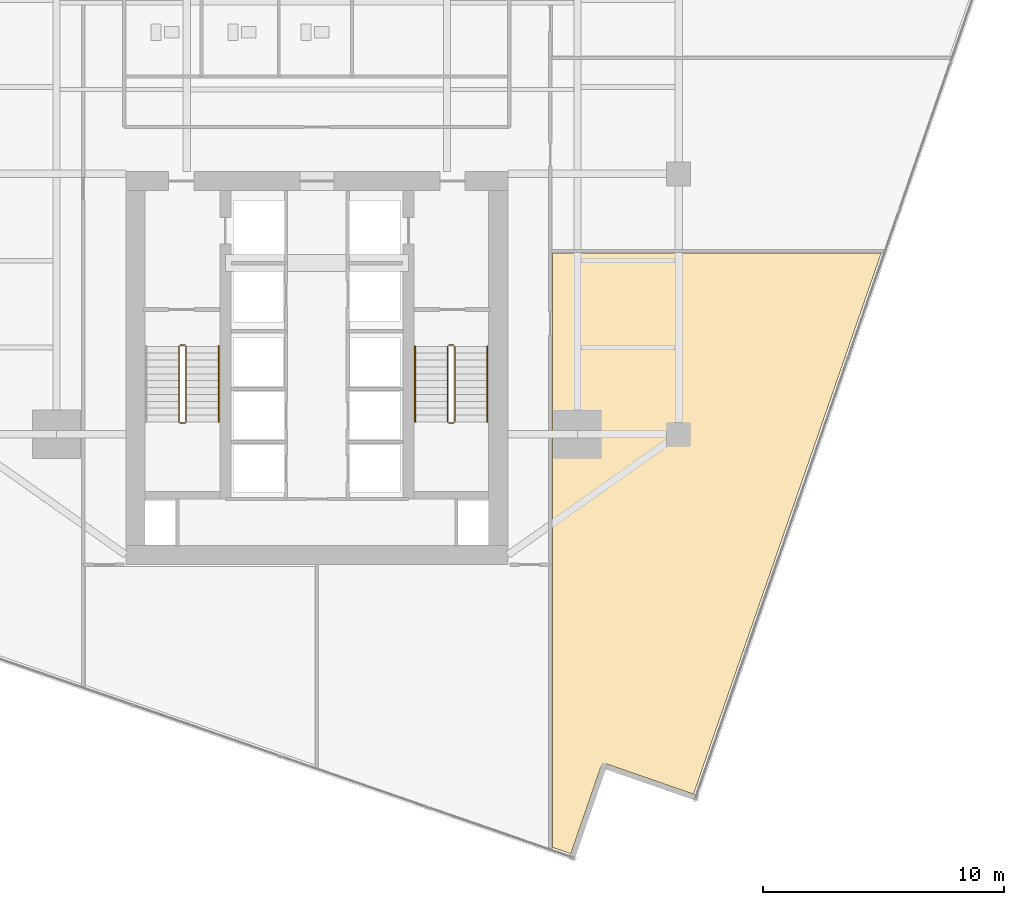
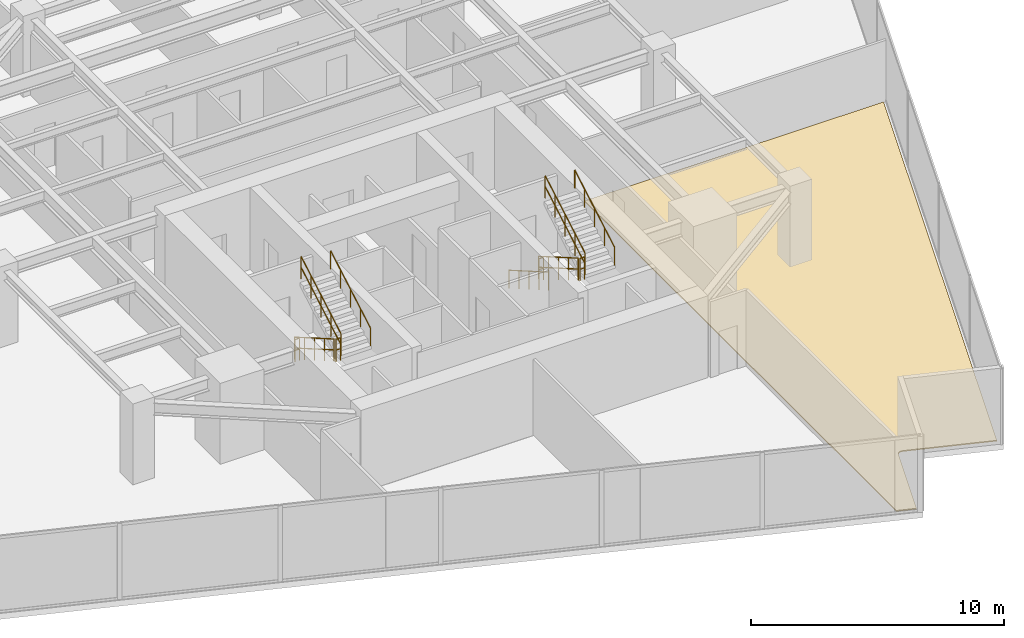
# One storey, part 26 of 28: 11 railings, 1 covering.
"""IFC4 building model written with IfcOpenShell, lengths in metres."""

from ifc_helpers import new_model, si_unit, direction, frame, origin, origin_2d, place, context, subcontext, project, spatial, polyline, circle, outline, extrude, material, layer, layer_set, type_object, element, save


model = new_model("IFC4")

# Units and contexts
model_context = context("Model", 3, precision=1e-05, world=origin(), true_north=direction((0.0, 1.0)))
body_context = subcontext(model_context, "Body", "Model", "MODEL_VIEW")
ifc_project = project(units=[si_unit("LENGTHUNIT", "METRE"), si_unit("AREAUNIT", "SQUARE_METRE"), si_unit("VOLUMEUNIT", "CUBIC_METRE"), si_unit("PLANEANGLEUNIT", "RADIAN"), si_unit("MASSUNIT", "GRAM", prefix="KILO")], contexts=[model_context])

# Site, building, storey
site_placement = place(None, origin())
site = spatial("IfcSite", under=ifc_project, at=site_placement, CompositionType="ELEMENT")
building_placement = place(site_placement, origin())
building = spatial("IfcBuilding", under=site, at=building_placement, Name="Krantzveldt Concourse Tower", CompositionType="ELEMENT")
storey_placement = place(building_placement, frame((0.0, 0.0, 117.699951171875)))
storey = spatial("IfcBuildingStorey", under=building, at=storey_placement, Name="L28", CompositionType="ELEMENT", Elevation=117.699951171875)

# Covering
ifc_material_1 = material(Name="Calcium-sulphate raised access floor panel", Category="flooring")
ifc_layer_1 = layer(ifc_material_1, 0.050048828125, Name="Calcium-sulphate raised access floor panel", Category="flooring")
ifc_layer_set_1 = layer_set([ifc_layer_1], Name="Calcium-sulphate raised access floor panel (COV-FLOOR-RAISED)")
covering_type = type_object("IfcCoveringType", Name="COV-FLOOR-RAISED", PredefinedType="FLOORING", material=ifc_layer_set_1)
covering_placement = place(storey_placement, origin())
element("IfcCovering", 1, at=covering_placement, inside=storey, type_object=covering_type, Name="FLR-SP-L28-ER1", PredefinedType="FLOORING", context=body_context, shape_type="SweptSolid", body=[
    extrude(outline(polyline([(59.396728515625, 23.419921875), (51.61669921875, 0.984130859375), (48.04541015625, 2.22265625), (48.024658203125, 2.228759765625), (48.00341796875, 2.232666015625), (47.98193359375, 2.234619140625), (47.960205078125, 2.234375), (47.938720703125, 2.23193359375), (47.917724609375, 2.2275390625), (47.89697265625, 2.22119140625), (47.877197265625, 2.212646484375), (47.858154296875, 2.202392578125), (47.84033203125, 2.190185546875), (47.823974609375, 2.17626953125), (47.808837890625, 2.160888671875), (47.795166015625, 2.14404296875), (47.783447265625, 2.1259765625), (47.7734375, 2.10693359375), (47.765380859375, 2.0869140625), (46.52685546875, -1.484619140625), (45.760009765625, -1.218505859375), (45.760009765625, 23.419921875), (59.396728515625, 23.419921875)])), origin(), (0.0, 0.0, 1.0), 0.050048828125),
])

# Railings
ifc_material_2 = material(Name="Stainless steel 316L", Category="steel")
ifc_layer_2 = layer(ifc_material_2, 0.06005859375, Name="Stainless steel 316L", Category="steel")
ifc_layer_set_2 = layer_set([ifc_layer_2], Name="Stainless steel 316L (RL-GUARD-1120)")
railing_type_1 = type_object("IfcRailingType", Name="RL-GUARD-1120", PredefinedType="GUARDRAIL", material=ifc_layer_set_2)
railing_1_placement = place(storey_placement, frame((30.280029296875, 19.550048828125, 0.16455078125)))
element("IfcRailing", 2, at=railing_1_placement, inside=storey, type_object=railing_type_1, Name="L28 ST-1 stair guard 1", PredefinedType="GUARDRAIL", context=body_context, shape_type="SweptSolid", body=[
    extrude(circle(Radius=0.02392578125, at=origin_2d()), frame((0.0, 0.0, 1.076171875), z_axis=(0.0, -0.865959834175, 0.500113552702), x_axis=(1.0, 0.0, 0.0)), (0.0, 0.0, 1.0), 3.620361328125),
    extrude(circle(Radius=0.02392578125, at=origin_2d()), frame((0.0, 0.0, 0.550048828125), z_axis=(0.0, -0.865959834175, 0.500113552702), x_axis=(1.0, 0.0, 0.0)), (0.0, 0.0, 1.0), 3.620361328125),
    extrude(circle(Radius=0.02099609375, at=origin_2d()), origin(), (0.0, 0.0, 1.0), 1.052001953125),
    extrude(circle(Radius=0.02099609375, at=origin_2d()), frame((0.0, -0.78369140625, 0.45263671875)), (0.0, 0.0, 1.0), 1.052001953125),
    extrude(circle(Radius=0.02099609375, at=origin_2d()), frame((0.0, -1.5673828125, 0.9052734375)), (0.0, 0.0, 1.0), 1.052001953125),
    extrude(circle(Radius=0.02099609375, at=origin_2d()), frame((0.0, -2.351318359375, 1.35791015625)), (0.0, 0.0, 1.0), 1.052001953125),
    extrude(circle(Radius=0.02099609375, at=origin_2d()), frame((0.0, -3.135009765625, 1.810546875)), (0.0, 0.0, 1.0), 1.052001953125),
])
railing_2_placement = place(storey_placement, frame((30.330078125, 16.364990234375, 1.97509765625)))
element("IfcRailing", 3, at=railing_2_placement, inside=storey, type_object=railing_type_1, Name="L28 ST-1 stair guard 2", PredefinedType="GUARDRAIL", context=body_context, shape_type="SweptSolid", body=[
    extrude(circle(Radius=0.02392578125, at=origin_2d()), frame((0.0, 0.0, 1.076171875), z_axis=(1.0, 0.0, 0.0), x_axis=(0.0, 1.0, 0.0)), (0.0, 0.0, 1.0), 0.199951171875),
    extrude(circle(Radius=0.02392578125, at=origin_2d()), frame((0.0, 0.0, 0.550048828125), z_axis=(1.0, 0.0, 0.0), x_axis=(0.0, 1.0, 0.0)), (0.0, 0.0, 1.0), 0.199951171875),
    extrude(circle(Radius=0.02099609375, at=origin_2d()), origin(), (0.0, 0.0, 1.0), 1.052001953125),
    extrude(circle(Radius=0.02099609375, at=origin_2d()), frame((0.199951171875, 0.0, 0.0)), (0.0, 0.0, 1.0), 1.052001953125),
])
railing_3_placement = place(storey_placement, frame((30.580078125, 16.4150390625, 2.1396484375)))
element("IfcRailing", 4, at=railing_3_placement, inside=storey, type_object=railing_type_1, Name="L28 ST-1 stair guard 3", PredefinedType="GUARDRAIL", context=body_context, shape_type="SweptSolid", body=[
    extrude(circle(Radius=0.02392578125, at=origin_2d()), frame((0.0, 0.0, 1.076171875), z_axis=(0.0, 0.865989039225, 0.500062979975), x_axis=(-1.0, 0.0, 0.0)), (0.0, 0.0, 1.0), 3.6201171875),
    extrude(circle(Radius=0.02392578125, at=origin_2d()), frame((0.0, 0.0, 0.550048828125), z_axis=(0.0, 0.865989039225, 0.500062979975), x_axis=(-1.0, 0.0, 0.0)), (0.0, 0.0, 1.0), 3.6201171875),
    extrude(circle(Radius=0.02099609375, at=origin_2d()), origin(), (0.0, 0.0, 1.0), 1.052001953125),
    extrude(circle(Radius=0.02099609375, at=origin_2d()), frame((0.0, 0.78369140625, 0.45263671875)), (0.0, 0.0, 1.0), 1.052001953125),
    extrude(circle(Radius=0.02099609375, at=origin_2d()), frame((0.0, 1.5673828125, 0.9052734375)), (0.0, 0.0, 1.0), 1.052001953125),
    extrude(circle(Radius=0.02099609375, at=origin_2d()), frame((0.0, 2.351318359375, 1.357666015625)), (0.0, 0.0, 1.0), 1.052001953125),
    extrude(circle(Radius=0.02099609375, at=origin_2d()), frame((0.0, 3.135009765625, 1.810302734375)), (0.0, 0.0, 1.0), 1.052001953125),
])
railing_4_placement = place(storey_placement, frame((30.330078125, 19.60009765625, 0.0)))
element("IfcRailing", 5, at=railing_4_placement, inside=storey, type_object=railing_type_1, Name="L28 ST-1 stair guard 4", PredefinedType="GUARDRAIL", context=body_context, shape_type="SweptSolid", body=[
    extrude(circle(Radius=0.02392578125, at=origin_2d()), frame((0.0, 0.0, 1.076171875), z_axis=(1.0, 0.0, 0.0), x_axis=(0.0, 1.0, 0.0)), (0.0, 0.0, 1.0), 0.199951171875),
    extrude(circle(Radius=0.02392578125, at=origin_2d()), frame((0.0, 0.0, 0.550048828125), z_axis=(1.0, 0.0, 0.0), x_axis=(0.0, 1.0, 0.0)), (0.0, 0.0, 1.0), 0.199951171875),
    extrude(circle(Radius=0.02099609375, at=origin_2d()), origin(), (0.0, 0.0, 1.0), 1.052001953125),
    extrude(circle(Radius=0.02099609375, at=origin_2d()), frame((0.199951171875, 0.0, 0.0)), (0.0, 0.0, 1.0), 1.052001953125),
])
railing_5_placement = place(storey_placement, frame((41.419921875, 19.550048828125, 0.16455078125)))
element("IfcRailing", 6, at=railing_5_placement, inside=storey, type_object=railing_type_1, Name="L28 ST-2 stair guard 1", PredefinedType="GUARDRAIL", context=body_context, shape_type="SweptSolid", body=[
    extrude(circle(Radius=0.02392578125, at=origin_2d()), frame((0.0, 0.0, 1.076171875), z_axis=(0.0, -0.865959834175, 0.500113552702), x_axis=(1.0, 0.0, 0.0)), (0.0, 0.0, 1.0), 3.620361328125),
    extrude(circle(Radius=0.02392578125, at=origin_2d()), frame((0.0, 0.0, 0.550048828125), z_axis=(0.0, -0.865959834175, 0.500113552702), x_axis=(1.0, 0.0, 0.0)), (0.0, 0.0, 1.0), 3.620361328125),
    extrude(circle(Radius=0.02099609375, at=origin_2d()), origin(), (0.0, 0.0, 1.0), 1.052001953125),
    extrude(circle(Radius=0.02099609375, at=origin_2d()), frame((0.0, -0.78369140625, 0.45263671875)), (0.0, 0.0, 1.0), 1.052001953125),
    extrude(circle(Radius=0.02099609375, at=origin_2d()), frame((0.0, -1.5673828125, 0.9052734375)), (0.0, 0.0, 1.0), 1.052001953125),
    extrude(circle(Radius=0.02099609375, at=origin_2d()), frame((0.0, -2.351318359375, 1.35791015625)), (0.0, 0.0, 1.0), 1.052001953125),
    extrude(circle(Radius=0.02099609375, at=origin_2d()), frame((0.0, -3.135009765625, 1.810546875)), (0.0, 0.0, 1.0), 1.052001953125),
])
railing_6_placement = place(storey_placement, frame((41.469970703125, 16.364990234375, 1.97509765625)))
element("IfcRailing", 7, at=railing_6_placement, inside=storey, type_object=railing_type_1, Name="L28 ST-2 stair guard 2", PredefinedType="GUARDRAIL", context=body_context, shape_type="SweptSolid", body=[
    extrude(circle(Radius=0.02392578125, at=origin_2d()), frame((0.0, 0.0, 1.076171875), z_axis=(1.0, 0.0, 0.0), x_axis=(0.0, 1.0, 0.0)), (0.0, 0.0, 1.0), 0.199951171875),
    extrude(circle(Radius=0.02392578125, at=origin_2d()), frame((0.0, 0.0, 0.550048828125), z_axis=(1.0, 0.0, 0.0), x_axis=(0.0, 1.0, 0.0)), (0.0, 0.0, 1.0), 0.199951171875),
    extrude(circle(Radius=0.02099609375, at=origin_2d()), origin(), (0.0, 0.0, 1.0), 1.052001953125),
    extrude(circle(Radius=0.02099609375, at=origin_2d()), frame((0.199951171875, 0.0, 0.0)), (0.0, 0.0, 1.0), 1.052001953125),
])
railing_7_placement = place(storey_placement, frame((41.719970703125, 16.4150390625, 2.1396484375)))
element("IfcRailing", 8, at=railing_7_placement, inside=storey, type_object=railing_type_1, Name="L28 ST-2 stair guard 3", PredefinedType="GUARDRAIL", context=body_context, shape_type="SweptSolid", body=[
    extrude(circle(Radius=0.02392578125, at=origin_2d()), frame((0.0, 0.0, 1.076171875), z_axis=(0.0, 0.865989039225, 0.500062979975), x_axis=(-1.0, 0.0, 0.0)), (0.0, 0.0, 1.0), 3.6201171875),
    extrude(circle(Radius=0.02392578125, at=origin_2d()), frame((0.0, 0.0, 0.550048828125), z_axis=(0.0, 0.865989039225, 0.500062979975), x_axis=(-1.0, 0.0, 0.0)), (0.0, 0.0, 1.0), 3.6201171875),
    extrude(circle(Radius=0.02099609375, at=origin_2d()), origin(), (0.0, 0.0, 1.0), 1.052001953125),
    extrude(circle(Radius=0.02099609375, at=origin_2d()), frame((0.0, 0.78369140625, 0.45263671875)), (0.0, 0.0, 1.0), 1.052001953125),
    extrude(circle(Radius=0.02099609375, at=origin_2d()), frame((0.0, 1.5673828125, 0.9052734375)), (0.0, 0.0, 1.0), 1.052001953125),
    extrude(circle(Radius=0.02099609375, at=origin_2d()), frame((0.0, 2.351318359375, 1.357666015625)), (0.0, 0.0, 1.0), 1.052001953125),
    extrude(circle(Radius=0.02099609375, at=origin_2d()), frame((0.0, 3.135009765625, 1.810302734375)), (0.0, 0.0, 1.0), 1.052001953125),
])
railing_8_placement = place(storey_placement, frame((41.469970703125, 19.60009765625, 0.0)))
element("IfcRailing", 9, at=railing_8_placement, inside=storey, type_object=railing_type_1, Name="L28 ST-2 stair guard 4", PredefinedType="GUARDRAIL", context=body_context, shape_type="SweptSolid", body=[
    extrude(circle(Radius=0.02392578125, at=origin_2d()), frame((0.0, 0.0, 1.076171875), z_axis=(1.0, 0.0, 0.0), x_axis=(0.0, 1.0, 0.0)), (0.0, 0.0, 1.0), 0.199951171875),
    extrude(circle(Radius=0.02392578125, at=origin_2d()), frame((0.0, 0.0, 0.550048828125), z_axis=(1.0, 0.0, 0.0), x_axis=(0.0, 1.0, 0.0)), (0.0, 0.0, 1.0), 0.199951171875),
    extrude(circle(Radius=0.02099609375, at=origin_2d()), origin(), (0.0, 0.0, 1.0), 1.052001953125),
    extrude(circle(Radius=0.02099609375, at=origin_2d()), frame((0.199951171875, 0.0, 0.0)), (0.0, 0.0, 1.0), 1.052001953125),
])
ifc_layer_3 = layer(ifc_material_2, 0.050048828125, Name="Stainless steel 316L", Category="steel")
ifc_layer_set_3 = layer_set([ifc_layer_3], Name="Stainless steel 316L (RL-HANDRAIL-920)")
railing_type_2 = type_object("IfcRailingType", Name="RL-HANDRAIL-920", PredefinedType="HANDRAIL", material=ifc_layer_set_3)
railing_9_placement = place(storey_placement, frame((31.929931640625, 16.4150390625, 2.1396484375)))
element("IfcRailing", 10, at=railing_9_placement, inside=storey, type_object=railing_type_2, Name="L28 ST-1 stair handrail 2", PredefinedType="HANDRAIL", context=body_context, shape_type="SweptSolid", body=[
    extrude(circle(Radius=0.02392578125, at=origin_2d()), frame((0.0, 0.0, 0.8759765625), z_axis=(0.0, 0.865989039225, 0.500062979975), x_axis=(-1.0, 0.0, 0.0)), (0.0, 0.0, 1.0), 3.6201171875),
    extrude(circle(Radius=0.02099609375, at=origin_2d()), origin(), (0.0, 0.0, 1.0), 0.851806640625),
    extrude(circle(Radius=0.02099609375, at=origin_2d()), frame((0.0, 0.78369140625, 0.45263671875)), (0.0, 0.0, 1.0), 0.851806640625),
    extrude(circle(Radius=0.02099609375, at=origin_2d()), frame((0.0, 1.5673828125, 0.9052734375)), (0.0, 0.0, 1.0), 0.851806640625),
    extrude(circle(Radius=0.02099609375, at=origin_2d()), frame((0.0, 2.351318359375, 1.357666015625)), (0.0, 0.0, 1.0), 0.851806640625),
    extrude(circle(Radius=0.02099609375, at=origin_2d()), frame((0.0, 3.135009765625, 1.810302734375)), (0.0, 0.0, 1.0), 0.851806640625),
])
railing_10_placement = place(storey_placement, frame((40.070068359375, 19.550048828125, 0.16455078125)))
element("IfcRailing", 11, at=railing_10_placement, inside=storey, type_object=railing_type_2, Name="L28 ST-2 stair handrail 1", PredefinedType="HANDRAIL", context=body_context, shape_type="SweptSolid", body=[
    extrude(circle(Radius=0.02392578125, at=origin_2d()), frame((0.0, 0.0, 0.8759765625), z_axis=(0.0, -0.865959834175, 0.500113552702), x_axis=(1.0, 0.0, 0.0)), (0.0, 0.0, 1.0), 3.620361328125),
    extrude(circle(Radius=0.02099609375, at=origin_2d()), origin(), (0.0, 0.0, 1.0), 0.851806640625),
    extrude(circle(Radius=0.02099609375, at=origin_2d()), frame((0.0, -0.78369140625, 0.45263671875)), (0.0, 0.0, 1.0), 0.851806640625),
    extrude(circle(Radius=0.02099609375, at=origin_2d()), frame((0.0, -1.5673828125, 0.9052734375)), (0.0, 0.0, 1.0), 0.851806640625),
    extrude(circle(Radius=0.02099609375, at=origin_2d()), frame((0.0, -2.351318359375, 1.35791015625)), (0.0, 0.0, 1.0), 0.851806640625),
    extrude(circle(Radius=0.02099609375, at=origin_2d()), frame((0.0, -3.135009765625, 1.810546875)), (0.0, 0.0, 1.0), 0.851806640625),
])
railing_11_placement = place(storey_placement, frame((43.070068359375, 16.4150390625, 2.1396484375)))
element("IfcRailing", 12, at=railing_11_placement, inside=storey, type_object=railing_type_2, Name="L28 ST-2 stair handrail 2", PredefinedType="HANDRAIL", context=body_context, shape_type="SweptSolid", body=[
    extrude(circle(Radius=0.02392578125, at=origin_2d()), frame((0.0, 0.0, 0.8759765625), z_axis=(0.0, 0.865989039225, 0.500062979975), x_axis=(-1.0, 0.0, 0.0)), (0.0, 0.0, 1.0), 3.6201171875),
    extrude(circle(Radius=0.02099609375, at=origin_2d()), origin(), (0.0, 0.0, 1.0), 0.851806640625),
    extrude(circle(Radius=0.02099609375, at=origin_2d()), frame((0.0, 0.78369140625, 0.45263671875)), (0.0, 0.0, 1.0), 0.851806640625),
    extrude(circle(Radius=0.02099609375, at=origin_2d()), frame((0.0, 1.5673828125, 0.9052734375)), (0.0, 0.0, 1.0), 0.851806640625),
    extrude(circle(Radius=0.02099609375, at=origin_2d()), frame((0.0, 2.351318359375, 1.357666015625)), (0.0, 0.0, 1.0), 0.851806640625),
    extrude(circle(Radius=0.02099609375, at=origin_2d()), frame((0.0, 3.135009765625, 1.810302734375)), (0.0, 0.0, 1.0), 0.851806640625),
])

save(model, "model.ifc")
